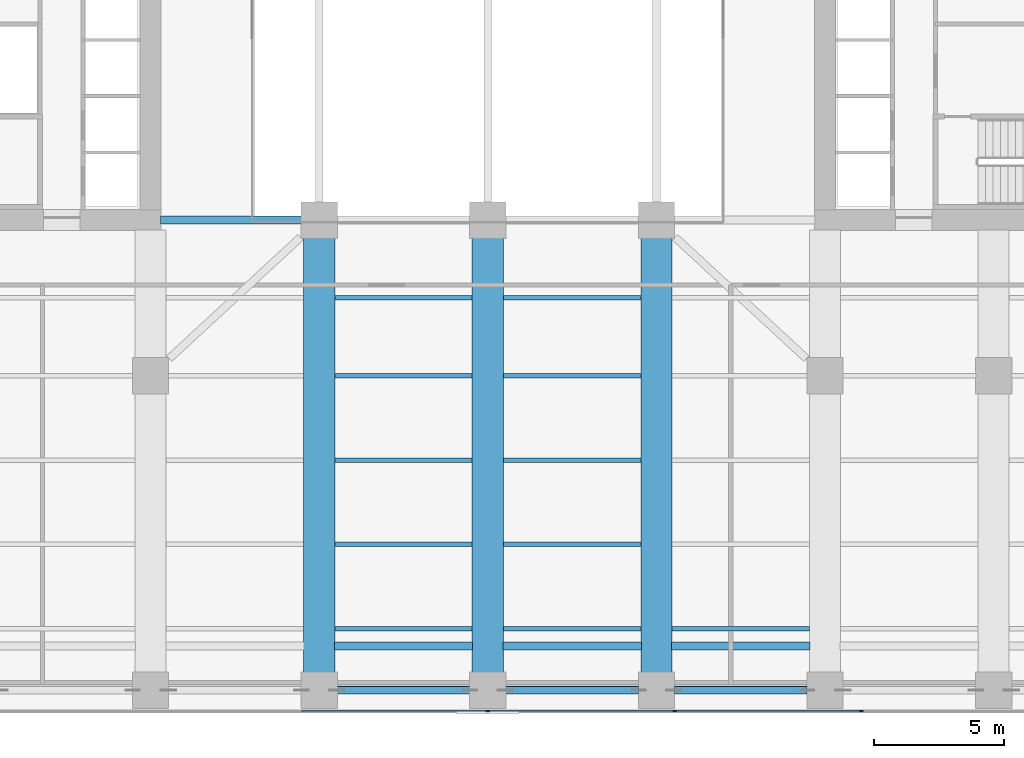
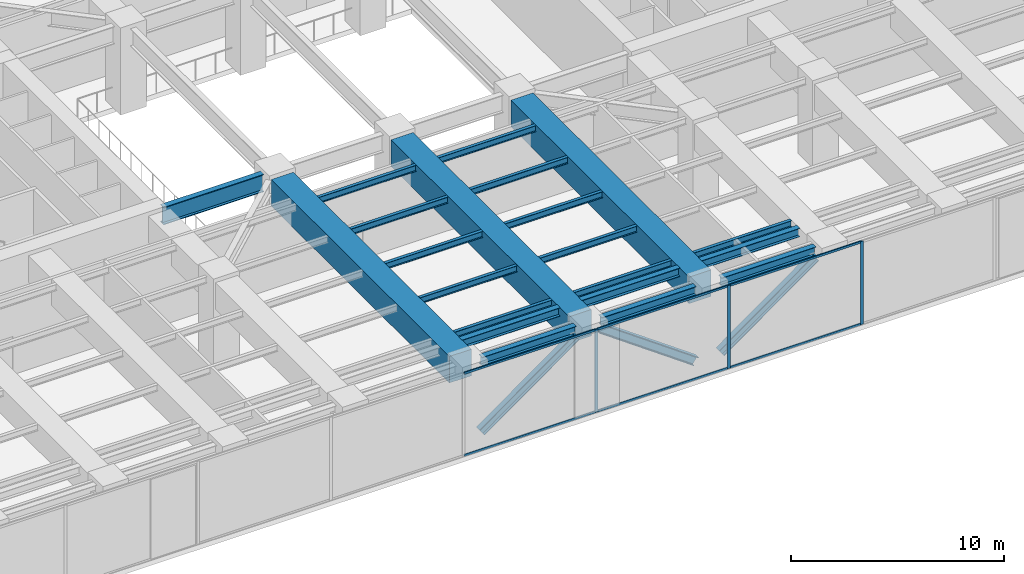
# One storey, part 5 of 31: 21 beams, 12 members, 1 element without a shape of its own.
"""IFC4 building model written with IfcOpenShell, lengths in metres."""

import ifcopenshell
import ifcopenshell.guid

model = None  # the IFC model being written
_history = None  # IfcOwnerHistory: only IFC2X3 demands one
_inside = {}  # id of a spatial element -> (the spatial element, [elements in it])
_under = {}  # id of a project, library or spatial element -> (it, [spatial elements below it])
_declared = {}  # id of a project -> (the project, [libraries it declares])
_typed = {}  # id of a type object -> (the type object, [elements of that type])
_made_of = {}  # id of a material, layer set ... -> (it, [elements and type objects made of it])


def new_model(schema):
    """Start an empty IFC model of exactly this schema.

    Asked for "IFC4X3", IfcOpenShell would pick the latest addendum, in which some entities
    have other attributes; the version numbers below select the first issue.
    IFC2X3 requires an IfcOwnerHistory on every rooted entity: one is made here for all.
    """
    global model, _history
    if schema == "IFC4X3":
        model = ifcopenshell.file(schema_version=(4, 3, 0, 0))
    else:
        model = ifcopenshell.file(schema=schema)
    _inside.clear()
    _under.clear()
    _declared.clear()
    _typed.clear()
    _made_of.clear()
    _history = None
    if model.schema == "IFC2X3":
        org = make("IfcOrganization", Name="unknown")
        user = make(
            "IfcPersonAndOrganization",
            ThePerson=make("IfcPerson", FamilyName="unknown"),
            TheOrganization=org,
        )
        app = make(
            "IfcApplication",
            ApplicationDeveloper=org,
            Version="unknown",
            ApplicationFullName="unknown",
            ApplicationIdentifier="unknown",
        )
        _history = make(
            "IfcOwnerHistory",
            OwningUser=user,
            OwningApplication=app,
            ChangeAction="ADDED",
            CreationDate=0,
        )
    return model


def make(cls, **values):
    """One entity of the class cls with the attributes given. An attribute that is None is left unset."""
    return model.create_entity(
        cls, **{name: value for name, value in values.items() if value is not None}
    )


def rooted(cls, **values):
    """An entity with a GlobalId (a new one), such as an element, a storey or a relation."""
    return make(cls, GlobalId=ifcopenshell.guid.new(), OwnerHistory=_history, **values)


def si_unit(unit_type, name, prefix=None):
    """IfcSIUnit, for example si_unit("LENGTHUNIT", "METRE", prefix="MILLI")."""
    return make("IfcSIUnit", UnitType=unit_type, Prefix=prefix, Name=name)


def assignment(units):
    """IfcUnitAssignment: the units of a project."""
    return None if units is None else make("IfcUnitAssignment", Units=units)


def point(xyz):
    """IfcCartesianPoint."""
    return None if xyz is None else make("IfcCartesianPoint", Coordinates=xyz)


def direction(xyz):
    """IfcDirection."""
    return None if xyz is None else make("IfcDirection", DirectionRatios=xyz)


def frame(location, z_axis=None, x_axis=None):
    """IfcAxis2Placement3D, a coordinate frame: its origin and axes. An axis left out is left unset."""
    return make(
        "IfcAxis2Placement3D",
        Location=point(location),
        Axis=direction(z_axis),
        RefDirection=direction(x_axis),
    )


def frame_2d(location, x_axis=None):
    """IfcAxis2Placement2D, a coordinate frame in the plane: its origin and x axis."""
    return make(
        "IfcAxis2Placement2D", Location=point(location), RefDirection=direction(x_axis)
    )


def origin():
    """The frame at (0, 0, 0) with its axes left unset."""
    return frame((0.0, 0.0, 0.0))


def origin_2d():
    """The frame at (0, 0) in the plane with its x axis left unset."""
    return frame_2d((0.0, 0.0))


def place(relative_to, where):
    """IfcLocalPlacement: puts the frame where relative to a parent placement (None: the world)."""
    return make(
        "IfcLocalPlacement", PlacementRelTo=relative_to, RelativePlacement=where
    )


def context(
    kind, dimensions, precision=None, world=None, true_north=None, identifier=None
):
    """IfcGeometricRepresentationContext, for example the 3D "Model" context."""
    return make(
        "IfcGeometricRepresentationContext",
        ContextIdentifier=identifier,
        ContextType=kind,
        CoordinateSpaceDimension=dimensions,
        Precision=precision,
        WorldCoordinateSystem=world,
        TrueNorth=true_north,
    )


def subcontext(parent, identifier, kind, view, scale=None):
    """IfcGeometricRepresentationSubContext, for example "Body" below "Model"."""
    return make(
        "IfcGeometricRepresentationSubContext",
        ContextIdentifier=identifier,
        ContextType=kind,
        ParentContext=parent,
        TargetScale=scale,
        TargetView=view,
    )


def project(units=None, contexts=None):
    """IfcProject with its units and contexts."""
    return rooted(
        "IfcProject",
        Name="project",
        RepresentationContexts=contexts,
        UnitsInContext=assignment(units),
    )


def spatial(cls, under=None, at=None, **own):
    """A site, building, storey or space (cls), placed at a placement, below another one or the project."""
    s = rooted(cls, ObjectPlacement=at, **own)
    if under is not None:
        _under.setdefault(under.id(), (under, []))[1].append(s)
    return s


def profile(cls, at=None, kind="AREA", **sizes):
    """A parametric profile (cls). Its sizes go by their IFC names, for example OverallWidth=200.0."""
    return make(cls, ProfileType=kind, Position=at, **sizes)


def rectangle(**sizes):
    """IfcRectangleProfileDef."""
    return profile("IfcRectangleProfileDef", **sizes)


def i_section(**sizes):
    """IfcIShapeProfileDef."""
    return profile("IfcIShapeProfileDef", **sizes)


def extrude(swept, where, along, depth):
    """IfcExtrudedAreaSolid: the profile swept, set in the frame where, extruded along a direction by depth."""
    return make(
        "IfcExtrudedAreaSolid",
        SweptArea=swept,
        Position=where,
        ExtrudedDirection=direction(along),
        Depth=depth,
    )


def shape(context_of_items, identifier, shape_type, items):
    """IfcShapeRepresentation: the items that make up one representation, for example the "Body"."""
    return make(
        "IfcShapeRepresentation",
        ContextOfItems=context_of_items,
        RepresentationIdentifier=identifier,
        RepresentationType=shape_type,
        Items=items,
    )


def material(Name=None, Category=None):
    """IfcMaterial."""
    return make("IfcMaterial", Name=Name, Category=Category)


def layer(
    of_material, thickness, ventilated=None, Name=None, Category=None, Priority=None
):
    """IfcMaterialLayer: one layer of a wall or slab, of a material (None: an air gap)."""
    return make(
        "IfcMaterialLayer",
        Material=of_material,
        LayerThickness=thickness,
        IsVentilated=ventilated,
        Name=Name,
        Category=Category,
        Priority=Priority,
    )


def layer_set(layers, Name=None):
    """IfcMaterialLayerSet."""
    return make("IfcMaterialLayerSet", MaterialLayers=layers, LayerSetName=Name)


def material_profile(
    of_material, cross_section, Name=None, Category=None, Priority=None
):
    """IfcMaterialProfile: a cross section and its material."""
    return make(
        "IfcMaterialProfile",
        Name=Name,
        Material=of_material,
        Profile=cross_section,
        Priority=Priority,
        Category=Category,
    )


def profile_set(profiles, Name=None, composite=None):
    """IfcMaterialProfileSet."""
    return make(
        "IfcMaterialProfileSet",
        Name=Name,
        MaterialProfiles=profiles,
        CompositeProfile=composite,
    )


def made_of(thing, what):
    """Note that an element or type object is made of a material, layer set ...; save() writes the relation."""
    if what is not None:
        _made_of.setdefault(what.id(), (what, []))[1].append(thing)
    return thing


def type_object(cls, material=None, **own):
    """A type object (cls), such as IfcWallType, which elements share."""
    return made_of(rooted(cls, **own), material)


def element(
    cls,
    number,
    at=None,
    inside=None,
    cuts=None,
    type_object=None,
    material=None,
    context=None,
    identifier="Body",
    shape_type=None,
    held_by="IfcProductDefinitionShape",
    body=None,
    shapes=None,
    **own,
):
    """One element of the class cls, such as IfcWall. Its Tag is "e" and its number.

    at: its placement. inside: the storey or other place that contains it. cuts: it is an
    opening in that element (IfcRelVoidsElement). A single representation is given by context,
    identifier, shape_type and body (its items); several are given by shapes. held_by: the class
    of the entity that holds the representations. save() writes the other relations.
    """
    e = rooted(cls, Tag="e%d" % number, ObjectPlacement=at, **own)
    if body is not None:
        shapes = [shape(context, identifier, shape_type, body)]
    if shapes is not None:
        e.Representation = make(held_by, Representations=shapes)
    if inside is not None:
        _inside.setdefault(inside.id(), (inside, []))[1].append(e)
    if cuts is not None:
        rooted(
            "IfcRelVoidsElement", RelatingBuildingElement=cuts, RelatedOpeningElement=e
        )
    if type_object is not None:
        _typed.setdefault(type_object.id(), (type_object, []))[1].append(e)
    return made_of(e, material)


def aggregate(whole, parts):
    """IfcRelAggregates: a whole, such as a stair, and the parts it consists of."""
    return rooted("IfcRelAggregates", RelatingObject=whole, RelatedObjects=parts)


def save(model, path):
    """Write the relations noted so far, then the file.

    IfcRelAggregates (storeys below a building ...), IfcRelContainedInSpatialStructure (elements
    in a storey), IfcRelDefinesByType, IfcRelAssociatesMaterial and IfcRelDeclares: one each for
    every whole, place, type object, material and project.
    """
    for whole, parts in _under.values():
        aggregate(whole, parts)
    for where, things in _inside.values():
        rooted(
            "IfcRelContainedInSpatialStructure",
            RelatedElements=things,
            RelatingStructure=where,
        )
    for kind, things in _typed.values():
        rooted("IfcRelDefinesByType", RelatedObjects=things, RelatingType=kind)
    for what, things in _made_of.values():
        rooted("IfcRelAssociatesMaterial", RelatedObjects=things, RelatingMaterial=what)
    for by, libraries in _declared.values():
        rooted("IfcRelDeclares", RelatingContext=by, RelatedDefinitions=libraries)
    model.write(path)


model = new_model("IFC4")

# Units and contexts
model_context = context("Model", 3, precision=1e-05, world=origin(), true_north=direction((0.0, 1.0)))
body_context = subcontext(model_context, "Body", "Model", "MODEL_VIEW")
ifc_project = project(units=[si_unit("LENGTHUNIT", "METRE"), si_unit("AREAUNIT", "SQUARE_METRE"), si_unit("VOLUMEUNIT", "CUBIC_METRE"), si_unit("PLANEANGLEUNIT", "RADIAN"), si_unit("MASSUNIT", "GRAM", prefix="KILO")], contexts=[model_context])

# Site, building, storey
site_placement = place(None, origin())
site = spatial("IfcSite", under=ifc_project, at=site_placement, CompositionType="ELEMENT")
building_placement = place(site_placement, origin())
building = spatial("IfcBuilding", under=site, at=building_placement, Name="Putna Gate Headquarters", CompositionType="ELEMENT")
storey_placement = place(building_placement, frame((0.0, 0.0, 81.0)))
storey = spatial("IfcBuildingStorey", under=building, at=storey_placement, Name="L19", CompositionType="ELEMENT", Elevation=81.0)

# Beams
ifc_material_1 = material(Name="Steel S355J2", Category="steel")
ifc_material_profile_1 = material_profile(ifc_material_1, i_section(OverallWidth=0.169921875, OverallDepth=0.360107421875, WebThickness=0.008056640625, FlangeThickness=0.0126953125, at=origin_2d()), Name="Steel S355J2")
ifc_profile_set_1 = profile_set([ifc_material_profile_1], Name="Steel S355J2")
beam_type_1 = type_object("IfcBeamType", Name="BM-SEC-Z2-IPE360", PredefinedType="BEAM", material=ifc_profile_set_1)
for number, where, z_axis, x_axis, name in (
    (1, (33.10400390625, 3.25, 4.5849609375), (1.0, 0.0, 0.0), (0.0, 1.0, 0.0), "L19 South Secondary Beam 5"),
    (2, (33.10400390625, 6.5, 4.5849609375), (1.0, 0.0, 0.0), (0.0, 1.0, 0.0), "L19 South Secondary Beam 5"),
    (3, (33.10400390625, 9.75, 4.5849609375), (1.0, 0.0, 0.0), (0.0, 1.0, 0.0), "L19 South Secondary Beam 5"),
    (4, (33.10400390625, 13.0, 4.5849609375), (1.0, 0.0, 0.0), (0.0, 1.0, 0.0), "L19 South Secondary Beam 5"),
    (5, (33.10400390625, 16.0, 4.5849609375), (1.0, 0.0, 0.0), (0.0, 1.0, 0.0), "L19 South Secondary Beam 5"),
    (6, (39.60400390625, 3.25, 4.5849609375), (1.0, 0.0, 0.0), (0.0, 1.0, 0.0), "L19 South Secondary Beam 6"),
    (7, (39.60400390625, 6.5, 4.5849609375), (1.0, 0.0, 0.0), (0.0, 1.0, 0.0), "L19 South Secondary Beam 6"),
    (8, (39.60400390625, 9.75, 4.5849609375), (1.0, 0.0, 0.0), (0.0, 1.0, 0.0), "L19 South Secondary Beam 6"),
    (9, (39.60400390625, 13.0, 4.5849609375), (1.0, 0.0, 0.0), (0.0, 1.0, 0.0), "L19 South Secondary Beam 6"),
    (10, (39.60400390625, 16.0, 4.5849609375), (1.0, 0.0, 0.0), (0.0, 1.0, 0.0), "L19 South Secondary Beam 6"),
    (11, (46.10400390625, 3.25, 4.5849609375), (1.0, 0.0, 0.0), (0.0, 1.0, 0.0), "L19 South Secondary Beam 7"),
):
    element("IfcBeam", number, at=place(storey_placement, frame(where, z_axis=z_axis, x_axis=x_axis)), inside=storey, type_object=beam_type_1, Name=name, PredefinedType="BEAM", context=body_context, shape_type="SweptSolid", body=[
        extrude(i_section(OverallWidth=0.169921875, OverallDepth=0.360107421875, WebThickness=0.008056640625, FlangeThickness=0.0126953125, at=origin_2d()), origin(), (0.0, 0.0, 1.0), 5.2919921875),
    ])
ifc_material_profile_2 = material_profile(ifc_material_1, i_section(OverallWidth=0.300048828125, OverallDepth=0.489990234375, WebThickness=0.011962890625, FlangeThickness=0.02294921875, at=origin_2d()), Name="Steel S355J2")
ifc_profile_set_2 = profile_set([ifc_material_profile_2], Name="Steel S355J2")
beam_type_2 = type_object("IfcBeamType", Name="BM-SPAN-Z2-HEA500", PredefinedType="SPANDREL", material=ifc_profile_set_2)
for number, where, z_axis, x_axis, name in (
    (12, (33.18798828125, 0.8798828125, 4.52001953125), (1.0, 0.0, 0.0), (0.0, 1.0, 0.0), "L19 S Perimeter Spandrel 5"),
    (13, (39.68798828125, 0.8798828125, 4.52001953125), (1.0, 0.0, 0.0), (0.0, 1.0, 0.0), "L19 S Perimeter Spandrel 6"),
    (14, (46.18798828125, 0.8798828125, 4.52001953125), (1.0, 0.0, 0.0), (0.0, 1.0, 0.0), "L19 S Perimeter Spandrel 7"),
):
    element("IfcBeam", number, at=place(storey_placement, frame(where, z_axis=z_axis, x_axis=x_axis)), inside=storey, type_object=beam_type_2, Name=name, PredefinedType="SPANDREL", context=body_context, shape_type="SweptSolid", body=[
        extrude(i_section(OverallWidth=0.300048828125, OverallDepth=0.489990234375, WebThickness=0.011962890625, FlangeThickness=0.02294921875, at=origin_2d()), origin(), (0.0, 0.0, 1.0), 5.1240234375),
    ])
for number, where, z_axis, x_axis, name in (
    (15, (33.0849609375, 2.580078125, 4.52001953125), (1.0, 0.0, 0.0), (0.0, 1.0, 0.0), "L19 Setback Edge Beam S5"),
    (16, (39.5849609375, 2.580078125, 4.52001953125), (1.0, 0.0, 0.0), (0.0, 1.0, 0.0), "L19 Setback Edge Beam S6"),
    (17, (46.0849609375, 2.580078125, 4.52001953125), (1.0, 0.0, 0.0), (0.0, 1.0, 0.0), "L19 Setback Edge Beam S7"),
):
    element("IfcBeam", number, at=place(storey_placement, frame(where, z_axis=z_axis, x_axis=x_axis)), inside=storey, type_object=beam_type_2, Name=name, PredefinedType="SPANDREL", context=body_context, shape_type="SweptSolid", body=[
        extrude(i_section(OverallWidth=0.300048828125, OverallDepth=0.489990234375, WebThickness=0.011962890625, FlangeThickness=0.02294921875, at=origin_2d()), origin(), (0.0, 0.0, 1.0), 5.330078125),
    ])
ifc_material_2 = material(Name="Steel S460M", Category="steel")
ifc_material_profile_3 = material_profile(ifc_material_2, i_section(OverallWidth=0.302001953125, OverallDepth=1.008056640625, WebThickness=0.02099609375, FlangeThickness=0.0400390625, at=origin_2d()), Name="Steel S460M")
ifc_profile_set_3 = profile_set([ifc_material_profile_3], Name="Steel S460M")
beam_type_3 = type_object("IfcBeamType", Name="BM-TG-HEM1000", PredefinedType="USERDEFINED", material=ifc_profile_set_3)
beam_placement = place(storey_placement, frame((26.385009765625, 19.0, 4.260986328125), z_axis=(1.0, 0.0, 0.0), x_axis=(0.0, 1.0, 0.0)))
element("IfcBeam", 18, at=beam_placement, inside=storey, type_object=beam_type_3, Name="L19 Atrium Edge Beam AS1", ObjectType="GIRDER", PredefinedType="USERDEFINED", context=body_context, shape_type="SweptSolid", body=[
    extrude(i_section(OverallWidth=0.302001953125, OverallDepth=1.008056640625, WebThickness=0.02099609375, FlangeThickness=0.0400390625, at=origin_2d()), origin(), (0.0, 0.0, 1.0), 5.427001953125),
])
ifc_material_3 = material(Name="Concrete C50/60", Category="concrete")
ifc_material_profile_4 = material_profile(ifc_material_3, rectangle(XDim=1.199951171875, YDim=1.52001953125, at=origin_2d()), Name="Concrete C50/60")
ifc_profile_set_4 = profile_set([ifc_material_profile_4], Name="Concrete C50/60")
beam_type_4 = type_object("IfcBeamType", Name="BM-TG-RC1520", PredefinedType="USERDEFINED", material=ifc_profile_set_4)
for number, where, z_axis, x_axis, name in (
    (19, (32.5, 1.568115234375, 4.0048828125), (0.0, 1.0, 0.0), (-1.0, 0.0, 0.0), "L19 South Primary Girder X32"),
    (20, (39.0, 1.568115234375, 4.0048828125), (0.0, 1.0, 0.0), (-1.0, 0.0, 0.0), "L19 South Primary Girder X39"),
    (21, (45.5, 1.568115234375, 4.0048828125), (0.0, 1.0, 0.0), (-1.0, 0.0, 0.0), "L19 South Primary Girder X45"),
):
    element("IfcBeam", number, at=place(storey_placement, frame(where, z_axis=z_axis, x_axis=x_axis)), inside=storey, type_object=beam_type_4, Name=name, ObjectType="GIRDER", PredefinedType="USERDEFINED", context=body_context, shape_type="SweptSolid", body=[
        extrude(rectangle(XDim=1.199951171875, YDim=1.52001953125, at=origin_2d()), origin(), (0.0, 0.0, 1.0), 16.743896484375),
    ])

# Members
ifc_material_profile_5 = material_profile(ifc_material_2, i_section(OverallWidth=0.306884765625, OverallDepth=0.47802734375, WebThickness=0.02099609375, FlangeThickness=0.0400390625, at=origin_2d()), Name="Steel S460M")
ifc_profile_set_5 = profile_set([ifc_material_profile_5], Name="Steel S460M")
member_type_1 = type_object("IfcMemberType", Name="MEM-BELT-DIAG-HEM450", PredefinedType="BRACE", material=ifc_profile_set_5)
for number, where, z_axis, x_axis, name in (
    (22, (33.18505859375, 0.8798828125, 0.449951171875), (0.813670670629, 0.0, 0.581326104487), (0.0, 1.0, 0.0), "L19 Belt Truss Diagonal S5"),
    (23, (39.68505859375, 0.8798828125, 4.114990234375), (0.813670670629, 0.0, -0.581326104487), (0.0, 1.0, 0.0), "L19 Belt Truss Diagonal S6"),
    (24, (46.18505859375, 0.8798828125, 0.449951171875), (0.813670670629, 0.0, 0.581326104487), (0.0, 1.0, 0.0), "L19 Belt Truss Diagonal S7"),
):
    element("IfcMember", number, at=place(storey_placement, frame(where, z_axis=z_axis, x_axis=x_axis)), inside=storey, type_object=member_type_1, Name=name, PredefinedType="BRACE", context=body_context, shape_type="SweptSolid", body=[
        extrude(i_section(OverallWidth=0.306884765625, OverallDepth=0.47802734375, WebThickness=0.02099609375, FlangeThickness=0.0400390625, at=origin_2d()), origin(), (0.0, 0.0, 1.0), 6.3046875),
    ])

# Curtain wall, members
ifc_material_4 = material(Name="Anodised bronze aluminium curtain wall", Category="aluminium")
ifc_layer = layer(ifc_material_4, 0.159912109375)
ifc_layer_set = layer_set([ifc_layer], Name="Anodised bronze aluminium curtain wall")
curtain_wall_type = type_object("IfcCurtainWallType", Name="CW-SYS-CRN", PredefinedType="USERDEFINED", material=ifc_layer_set)
curtain_wall_placement = place(storey_placement, origin())
curtain_wall = element("IfcCurtainWall", 25, at=curtain_wall_placement, inside=storey, type_object=curtain_wall_type, Name="L19 Acoustic Louvre South Enclosure", ObjectType="STICK CURTAIN WALL", PredefinedType="USERDEFINED")
ifc_material_5 = material(Name="Anodised bronze aluminium EN AW-6060", Category="aluminium")
ifc_material_profile_6 = material_profile(ifc_material_5, rectangle(XDim=0.06494140625, YDim=0.159912109375, at=origin_2d()), Name="Anodised bronze aluminium EN AW-6060")
ifc_profile_set_6 = profile_set([ifc_material_profile_6], Name="Anodised bronze aluminium EN AW-6060")
member_type_2 = type_object("IfcMemberType", Name="MULL-CWM-CR", PredefinedType="MULLION", material=ifc_profile_set_6)
member_1_placement = place(storey_placement, frame((39.0, 0.080078125, 0.0), z_axis=(0.0, 0.0, 1.0), x_axis=(0.0, 1.0, 0.0)))
member_1 = element("IfcMember", 26, at=member_1_placement, type_object=member_type_2, Name="CWS-CR mullion 6", PredefinedType="MULLION", context=body_context, shape_type="SweptSolid", body=[
    extrude(rectangle(XDim=0.06494140625, YDim=0.159912109375, at=origin_2d()), origin(), (0.0, 0.0, 1.0), 4.764892578125),
])
member_2_placement = place(storey_placement, frame((46.199951171875, 0.080078125, 0.0), z_axis=(0.0, 0.0, 1.0), x_axis=(0.0, 1.0, 0.0)))
member_2 = element("IfcMember", 27, at=member_2_placement, type_object=member_type_2, Name="CWS-CR mullion 7", PredefinedType="MULLION", context=body_context, shape_type="SweptSolid", body=[
    extrude(rectangle(XDim=0.06494140625, YDim=0.159912109375, at=origin_2d()), origin(), (0.0, 0.0, 1.0), 4.764892578125),
])
member_3_placement = place(storey_placement, frame((53.39990234375, 0.080078125, 0.0), z_axis=(0.0, 0.0, 1.0), x_axis=(0.0, 1.0, 0.0)))
member_3 = element("IfcMember", 28, at=member_3_placement, type_object=member_type_2, Name="CWS-CR mullion 8", PredefinedType="MULLION", context=body_context, shape_type="SweptSolid", body=[
    extrude(rectangle(XDim=0.06494140625, YDim=0.159912109375, at=origin_2d()), origin(), (0.0, 0.0, 1.0), 4.764892578125),
])
ifc_material_profile_7 = material_profile(ifc_material_5, rectangle(XDim=0.06494140625, YDim=0.1201171875, at=origin_2d()), Name="Anodised bronze aluminium EN AW-6060")
ifc_profile_set_7 = profile_set([ifc_material_profile_7], Name="Anodised bronze aluminium EN AW-6060")
member_type_3 = type_object("IfcMemberType", Name="TRAN-CWT-CR", PredefinedType="USERDEFINED", material=ifc_profile_set_7)
member_4_placement = place(storey_placement, frame((31.83251953125, 0.080078125, 0.032470703125), z_axis=(1.0, 0.0, 0.0), x_axis=(0.0, 1.0, 0.0)))
member_4 = element("IfcMember", 29, at=member_4_placement, type_object=member_type_3, Name="CWS-CR transom 5.1", ObjectType="TRANSOM", PredefinedType="USERDEFINED", context=body_context, shape_type="SweptSolid", body=[
    extrude(rectangle(XDim=0.06494140625, YDim=0.1201171875, at=origin_2d()), origin(), (0.0, 0.0, 1.0), 7.135009765625),
])
member_5_placement = place(storey_placement, frame((31.83251953125, 0.080078125, 4.732421875), z_axis=(1.0, 0.0, 0.0), x_axis=(0.0, 1.0, 0.0)))
member_5 = element("IfcMember", 30, at=member_5_placement, type_object=member_type_3, Name="CWS-CR transom 5.2", ObjectType="TRANSOM", PredefinedType="USERDEFINED", context=body_context, shape_type="SweptSolid", body=[
    extrude(rectangle(XDim=0.06494140625, YDim=0.1201171875, at=origin_2d()), origin(), (0.0, 0.0, 1.0), 7.135009765625),
])
member_6_placement = place(storey_placement, frame((39.032470703125, 0.080078125, 0.032470703125), z_axis=(1.0, 0.0, 0.0), x_axis=(0.0, 1.0, 0.0)))
member_6 = element("IfcMember", 31, at=member_6_placement, type_object=member_type_3, Name="CWS-CR transom 6.1", ObjectType="TRANSOM", PredefinedType="USERDEFINED", context=body_context, shape_type="SweptSolid", body=[
    extrude(rectangle(XDim=0.06494140625, YDim=0.1201171875, at=origin_2d()), origin(), (0.0, 0.0, 1.0), 7.135009765625),
])
member_7_placement = place(storey_placement, frame((39.032470703125, 0.080078125, 4.732421875), z_axis=(1.0, 0.0, 0.0), x_axis=(0.0, 1.0, 0.0)))
member_7 = element("IfcMember", 32, at=member_7_placement, type_object=member_type_3, Name="CWS-CR transom 6.2", ObjectType="TRANSOM", PredefinedType="USERDEFINED", context=body_context, shape_type="SweptSolid", body=[
    extrude(rectangle(XDim=0.06494140625, YDim=0.1201171875, at=origin_2d()), origin(), (0.0, 0.0, 1.0), 7.135009765625),
])
member_8_placement = place(storey_placement, frame((46.232421875, 0.080078125, 0.032470703125), z_axis=(1.0, 0.0, 0.0), x_axis=(0.0, 1.0, 0.0)))
member_8 = element("IfcMember", 33, at=member_8_placement, type_object=member_type_3, Name="CWS-CR transom 7.1", ObjectType="TRANSOM", PredefinedType="USERDEFINED", context=body_context, shape_type="SweptSolid", body=[
    extrude(rectangle(XDim=0.06494140625, YDim=0.1201171875, at=origin_2d()), origin(), (0.0, 0.0, 1.0), 7.135009765625),
])
member_9_placement = place(storey_placement, frame((46.232421875, 0.080078125, 4.732421875), z_axis=(1.0, 0.0, 0.0), x_axis=(0.0, 1.0, 0.0)))
member_9 = element("IfcMember", 34, at=member_9_placement, type_object=member_type_3, Name="CWS-CR transom 7.2", ObjectType="TRANSOM", PredefinedType="USERDEFINED", context=body_context, shape_type="SweptSolid", body=[
    extrude(rectangle(XDim=0.06494140625, YDim=0.1201171875, at=origin_2d()), origin(), (0.0, 0.0, 1.0), 7.135009765625),
])
aggregate(curtain_wall, [member_1, member_2, member_3, member_4, member_5, member_6, member_7, member_8, member_9])

save(model, "model.ifc")
